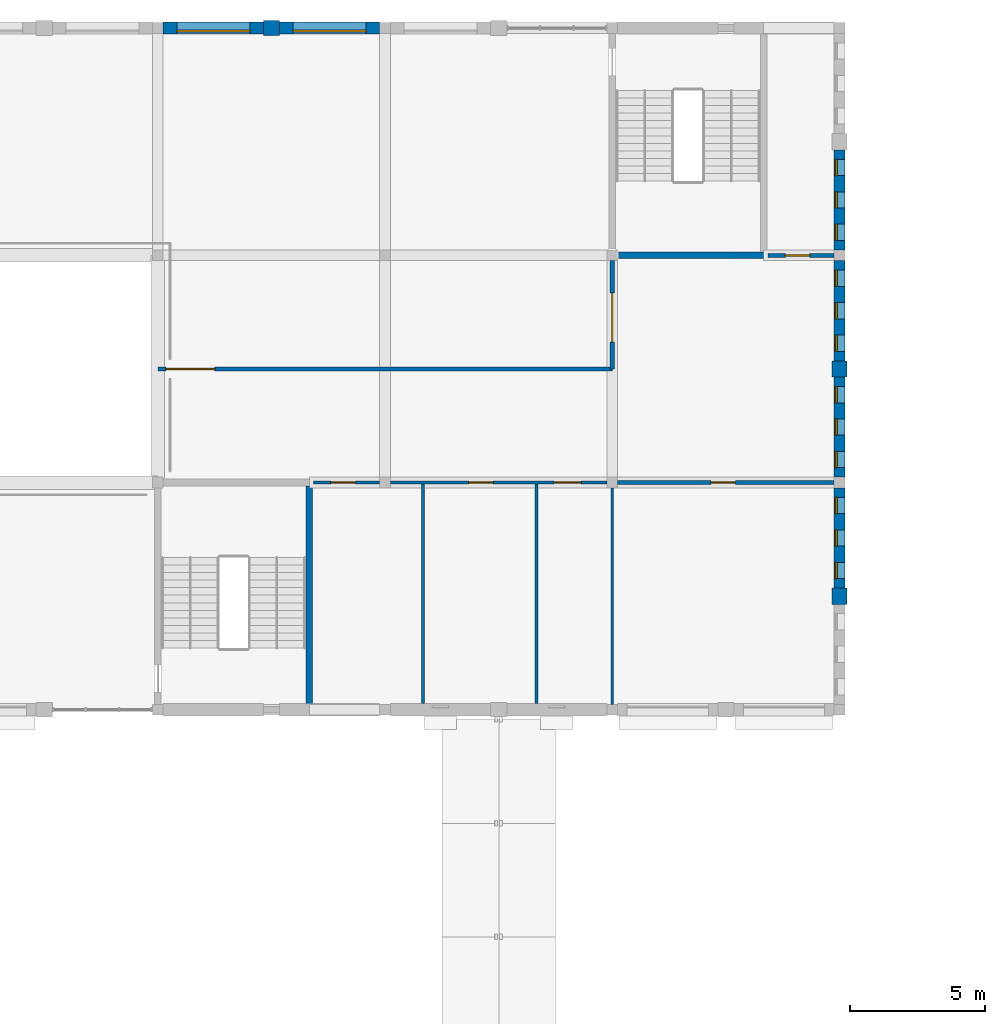
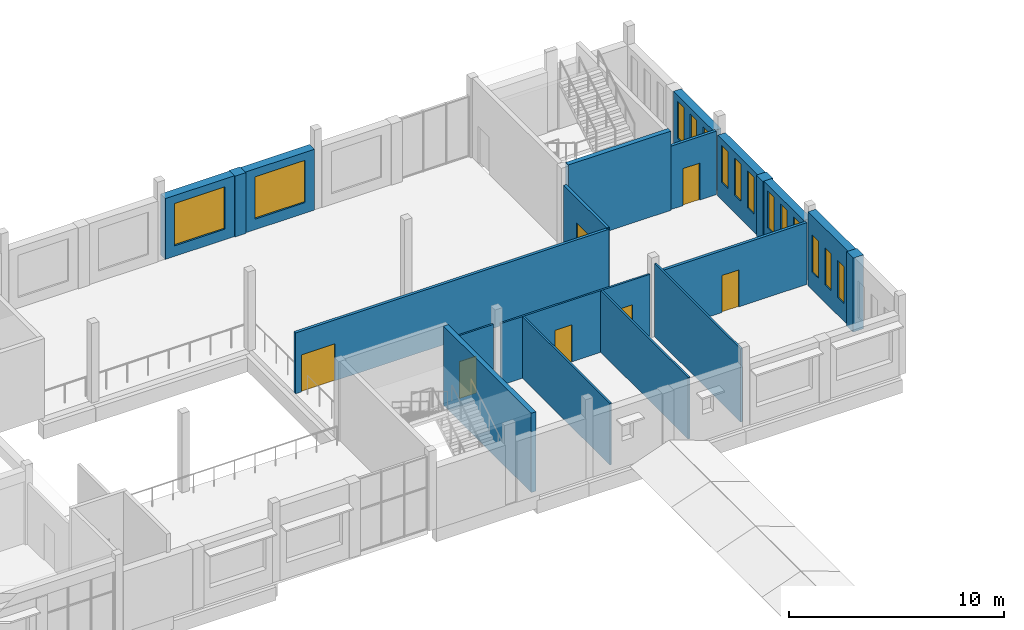
# One storey, part 30 of 38: 20 walls, 14 windows, 7 doors, 21 openings.
"""IFC4 building model written with IfcOpenShell, lengths in metres."""

from ifc_helpers import new_model, si_unit, direction, frame, frame_2d, origin, place, context, subcontext, project, spatial, rectangle, extrude, material, layer, layer_set, type_object, element, fill, save


model = new_model("IFC4")

# Units and contexts
model_context = context("Model", 3, precision=1e-05, world=origin(), true_north=direction((0.0, 1.0)))
body_context = subcontext(model_context, "Body", "Model", "MODEL_VIEW")
ifc_project = project(units=[si_unit("LENGTHUNIT", "METRE"), si_unit("AREAUNIT", "SQUARE_METRE"), si_unit("VOLUMEUNIT", "CUBIC_METRE"), si_unit("PLANEANGLEUNIT", "RADIAN"), si_unit("MASSUNIT", "GRAM", prefix="KILO")], contexts=[model_context])

# Site, building, storey
site_placement = place(None, origin())
site = spatial("IfcSite", under=ifc_project, at=site_placement, CompositionType="ELEMENT")
building_placement = place(site_placement, origin())
building = spatial("IfcBuilding", under=site, at=building_placement, Name="Fescue Hill Polytechnic", CompositionType="ELEMENT")
storey_placement = place(building_placement, frame((0.0, 0.0, 18.0)))
storey = spatial("IfcBuildingStorey", under=building, at=storey_placement, Name="L04", CompositionType="ELEMENT", Elevation=18.0)

# Walls
ifc_material_1 = material(Name="Clay brick masonry", Category="masonry")
ifc_layer_1 = layer(ifc_material_1, 0.550048828125)
ifc_layer_set_1 = layer_set([ifc_layer_1], Name="Clay brick masonry")
wall_type_1 = type_object("IfcWallType", Name="Brick pier 600x550", PredefinedType="SOLIDWALL", material=ifc_layer_set_1)
wall_1_placement = place(storey_placement, frame((117.60009765625, 113.10009765625, 0.0), z_axis=(0.0, 0.0, 1.0), x_axis=(0.0, 1.0, 0.0)))
element("IfcWall", 1, at=wall_1_placement, inside=storey, type_object=wall_type_1, Name="PR-L04-V4b-8", PredefinedType="SOLIDWALL", context=body_context, shape_type="SweptSolid", body=[
    extrude(rectangle(XDim=0.599853515625, YDim=0.550048828125, at=frame_2d((0.2998046875, 0.0))), origin(), (0.0, 0.0, 1.0), 4.199951171875),
])
wall_2_placement = place(storey_placement, frame((117.60009765625, 121.5, 0.0), z_axis=(0.0, 0.0, 1.0), x_axis=(0.0, 1.0, 0.0)))
element("IfcWall", 2, at=wall_2_placement, inside=storey, type_object=wall_type_1, Name="PR-L04-V4b-9", PredefinedType="SOLIDWALL", context=body_context, shape_type="SweptSolid", body=[
    extrude(rectangle(XDim=0.60009765625, YDim=0.550048828125, at=frame_2d((0.300048828125, 0.0))), origin(), (0.0, 0.0, 1.0), 3.449951171875),
])
wall_3_placement = place(storey_placement, frame((96.89990234375, 134.39990234375, 0.0), z_axis=(0.0, 0.0, 1.0), x_axis=(-1.0, 0.0, 0.0)))
element("IfcWall", 3, at=wall_3_placement, inside=storey, type_object=wall_type_1, Name="PR-L04-V4b-13", PredefinedType="SOLIDWALL", context=body_context, shape_type="SweptSolid", body=[
    extrude(rectangle(XDim=0.599853515625, YDim=0.550048828125, at=frame_2d((0.2998046875, 0.0))), origin(), (0.0, 0.0, 1.0), 3.449951171875),
])
ifc_material_2 = material(Name="Concrete 40 MPa", Category="concrete")
ifc_layer_2 = layer(ifc_material_2, 0.25)
ifc_layer_set_2 = layer_set([ifc_layer_2], Name="Concrete 40 MPa")
wall_type_2 = type_object("IfcWallType", Name="Core wall 250", PredefinedType="SHEAR", material=ifc_layer_set_2)
wall_4_placement = place(storey_placement, frame((109.425048828125, 126.0, 0.0), z_axis=(0.0, 0.0, 1.0), x_axis=(1.0, 0.0, 0.0)))
element("IfcWall", 4, at=wall_4_placement, inside=storey, type_object=wall_type_2, Name="CW-L04-ST-V4b-2-11", PredefinedType="SHEAR", context=body_context, shape_type="SweptSolid", body=[
    extrude(rectangle(XDim=5.5, YDim=0.25, at=frame_2d((2.75, 0.0))), origin(), (0.0, 0.0, 1.0), 4.5),
])
wall_5_placement = place(storey_placement, frame((98.0, 109.324951171875, 0.0), z_axis=(0.0, 0.0, 1.0), x_axis=(0.0, 1.0, 0.0)))
element("IfcWall", 5, at=wall_5_placement, inside=storey, type_object=wall_type_2, Name="CW-L04-ST-V4b-3-41", PredefinedType="SHEAR", context=body_context, shape_type="SweptSolid", body=[
    extrude(rectangle(XDim=8.150146484375, YDim=0.25, at=frame_2d((4.0751953125, 0.0))), origin(), (0.0, 0.0, 1.0), 4.5),
])

# Wall, opening, door
ifc_material_3 = material(Name="Gypsum board partition")
ifc_layer_3 = layer(ifc_material_3, 0.14990234375)
ifc_layer_set_3 = layer_set([ifc_layer_3], Name="Gypsum board partition")
wall_type_3 = type_object("IfcWallType", Name="Corridor wall 150 EI 45", PredefinedType="PARTITIONING", material=ifc_layer_set_3)
wall_6_placement = place(storey_placement, frame((109.39990234375, 117.60009765625, 0.0), z_axis=(0.0, 0.0, 1.0), x_axis=(1.0, 0.0, 0.0)))
wall_6 = element("IfcWall", 6, at=wall_6_placement, inside=storey, type_object=wall_type_3, Name="IW-L04-027", PredefinedType="PARTITIONING", context=body_context, shape_type="SweptSolid", body=[
    extrude(rectangle(XDim=8.0, YDim=0.14990234375, at=frame_2d((4.0, 0.0))), origin(), (0.0, 0.0, 1.0), 3.5),
])
opening_1_placement = place(wall_6_placement, frame((3.449951171875, 0.0, 0.0)))
opening_1 = element("IfcOpeningElement", 7, at=opening_1_placement, cuts=wall_6, Name="Opening D4031", PredefinedType="OPENING", context=body_context, shape_type="SweptSolid", body=[
    extrude(rectangle(XDim=0.89990234375, YDim=2.10009765625, at=frame_2d((0.449951171875, 1.050048828125))), frame((0.0, 0.0849609375, 0.0), z_axis=(0.0, -1.0, 0.0), x_axis=(1.0, 0.0, 0.0)), (0.0, 0.0, 1.0), 0.169921875),
])
ifc_material_4 = material(Name="Timber", Category="wood")
door_type_1 = type_object("IfcDoorType", Name="Door single swing 900x2100 FD30S", OperationType="SINGLE_SWING_LEFT", PredefinedType="DOOR", material=ifc_material_4)
door_1_placement = place(opening_1_placement, origin())
door_1 = element("IfcDoor", 8, at=door_1_placement, inside=storey, type_object=door_type_1, Name="Door D4031", OperationType="SINGLE_SWING_LEFT", OverallHeight=2.10009765625, OverallWidth=0.89990234375, PredefinedType="DOOR", context=body_context, shape_type="SweptSolid", body=[
    extrude(rectangle(XDim=0.89990234375, YDim=2.10009765625, at=frame_2d((0.449951171875, 1.050048828125))), frame((0.0, 0.02490234375, 0.0), z_axis=(0.0, -1.0, 0.0), x_axis=(1.0, 0.0, 0.0)), (0.0, 0.0, 1.0), 0.050048828125),
])
fill(opening_1, door_1)

wall_7_placement = place(storey_placement, frame((92.39990234375, 121.800048828125, 0.0), z_axis=(0.0, 0.0, 1.0), x_axis=(1.0, 0.0, 0.0)))
wall_7 = element("IfcWall", 9, at=wall_7_placement, inside=storey, type_object=wall_type_3, Name="IW-L04-034", PredefinedType="PARTITIONING", context=body_context, shape_type="SweptSolid", body=[
    extrude(rectangle(XDim=16.800048828125, YDim=0.14990234375, at=frame_2d((8.39990234375, 0.0))), origin(), (0.0, 0.0, 1.0), 3.449951171875),
])
opening_2_placement = place(wall_7_placement, frame((0.300048828125, 0.0, 0.0)))
opening_2 = element("IfcOpeningElement", 10, at=opening_2_placement, cuts=wall_7, Name="Opening D4035", PredefinedType="OPENING", context=body_context, shape_type="SweptSolid", body=[
    extrude(rectangle(XDim=1.800048828125, YDim=2.10009765625, at=frame_2d((0.89990234375, 1.050048828125))), frame((0.0, 0.0849609375, 0.0), z_axis=(0.0, -1.0, 0.0), x_axis=(1.0, 0.0, 0.0)), (0.0, 0.0, 1.0), 0.169921875),
])
door_type_2 = type_object("IfcDoorType", Name="Door double swing 1800x2100 FD30S", OperationType="DOUBLE_DOOR_SINGLE_SWING", PredefinedType="DOOR", material=ifc_material_4)
door_2_placement = place(opening_2_placement, origin())
door_2 = element("IfcDoor", 11, at=door_2_placement, inside=storey, type_object=door_type_2, Name="Door D4035", OperationType="DOUBLE_DOOR_SINGLE_SWING", OverallHeight=2.10009765625, OverallWidth=1.800048828125, PredefinedType="DOOR", context=body_context, shape_type="SweptSolid", body=[
    extrude(rectangle(XDim=1.800048828125, YDim=2.10009765625, at=frame_2d((0.89990234375, 1.050048828125))), frame((0.0, 0.02490234375, 0.0), z_axis=(0.0, -1.0, 0.0), x_axis=(1.0, 0.0, 0.0)), (0.0, 0.0, 1.0), 0.050048828125),
])
fill(opening_2, door_2)

# Wall, opening, window
ifc_layer_4 = layer(ifc_material_2, 0.449951171875)
ifc_layer_set_4 = layer_set([ifc_layer_4], Name="Concrete 40 MPa")
wall_type_4 = type_object("IfcWallType", Name="Exterior wall board-marked concrete 450", PredefinedType="SOLIDWALL", material=ifc_layer_set_4)
wall_8_placement = place(storey_placement, frame((100.60009765625, 134.39990234375, 0.0), z_axis=(0.0, 0.0, 1.0), x_axis=(-1.0, 0.0, 0.0)))
wall_8 = element("IfcWall", 12, at=wall_8_placement, inside=storey, type_object=wall_type_4, Name="EW-L04-V4b-25", PredefinedType="SOLIDWALL", context=body_context, shape_type="SweptSolid", body=[
    extrude(rectangle(XDim=3.7001953125, YDim=0.449951171875, at=frame_2d((1.85009765625, 0.0))), origin(), (0.0, 0.0, 1.0), 3.449951171875),
])
opening_3_placement = place(wall_8_placement, frame((0.5, 0.0, 0.60009765625)))
opening_3 = element("IfcOpeningElement", 13, at=opening_3_placement, cuts=wall_8, Name="Opening W16R", PredefinedType="OPENING", context=body_context, shape_type="SweptSolid", body=[
    extrude(rectangle(XDim=2.699951171875, YDim=2.39990234375, at=frame_2d((1.35009765625, 1.199951171875))), frame((0.0, 0.23486328125, 0.0), z_axis=(0.0, -1.0, 0.0), x_axis=(1.0, 0.0, 0.0)), (0.0, 0.0, 1.0), 0.469970703125),
])
ifc_material_5 = material(Name="Powder-coated aluminium and glass", Category="aluminium")
window_type_1 = type_object("IfcWindowType", Name="Window studio north-light 2700x2400", PartitioningType="TRIPLE_PANEL_VERTICAL", PredefinedType="WINDOW", material=ifc_material_5)
window_1_placement = place(opening_3_placement, origin())
window_1 = element("IfcWindow", 14, at=window_1_placement, inside=storey, type_object=window_type_1, Name="WN-L04-V4b-27", OverallHeight=2.39990234375, OverallWidth=2.699951171875, PartitioningType="SINGLE_PANEL", PredefinedType="WINDOW", context=body_context, shape_type="SweptSolid", body=[
    extrude(rectangle(XDim=2.699951171875, YDim=2.39990234375, at=frame_2d((1.35009765625, 1.199951171875))), frame((0.0, 0.135009765625, 0.0), z_axis=(0.0, -1.0, 0.0), x_axis=(1.0, 0.0, 0.0)), (0.0, 0.0, 1.0), 0.06005859375),
])
fill(opening_3, window_1)

wall_9_placement = place(storey_placement, frame((96.300048828125, 134.39990234375, 0.0), z_axis=(0.0, 0.0, 1.0), x_axis=(-1.0, 0.0, 0.0)))
wall_9 = element("IfcWall", 15, at=wall_9_placement, inside=storey, type_object=wall_type_4, Name="EW-L04-V4b-26", PredefinedType="SOLIDWALL", context=body_context, shape_type="SweptSolid", body=[
    extrude(rectangle(XDim=3.699951171875, YDim=0.449951171875, at=frame_2d((1.85009765625, 0.0))), origin(), (0.0, 0.0, 1.0), 3.449951171875),
])
opening_4_placement = place(wall_9_placement, frame((0.5, 0.0, 0.60009765625)))
opening_4 = element("IfcOpeningElement", 16, at=opening_4_placement, cuts=wall_9, Name="Opening W16R", PredefinedType="OPENING", context=body_context, shape_type="SweptSolid", body=[
    extrude(rectangle(XDim=2.699951171875, YDim=2.39990234375, at=frame_2d((1.35009765625, 1.199951171875))), frame((0.0, 0.23486328125, 0.0), z_axis=(0.0, -1.0, 0.0), x_axis=(1.0, 0.0, 0.0)), (0.0, 0.0, 1.0), 0.469970703125),
])
window_2_placement = place(opening_4_placement, origin())
window_2 = element("IfcWindow", 17, at=window_2_placement, inside=storey, type_object=window_type_1, Name="WN-L04-V4b-28", OverallHeight=2.39990234375, OverallWidth=2.699951171875, PartitioningType="SINGLE_PANEL", PredefinedType="WINDOW", context=body_context, shape_type="SweptSolid", body=[
    extrude(rectangle(XDim=2.699951171875, YDim=2.39990234375, at=frame_2d((1.35009765625, 1.199951171875))), frame((0.0, 0.135009765625, 0.0), z_axis=(0.0, -1.0, 0.0), x_axis=(1.0, 0.0, 0.0)), (0.0, 0.0, 1.0), 0.06005859375),
])
fill(opening_4, window_2)

# Wall, openings, windows
ifc_layer_5 = layer(ifc_material_1, 0.419921875)
ifc_layer_set_5 = layer_set([ifc_layer_5], Name="Clay brick masonry")
wall_type_5 = type_object("IfcWallType", Name="Exterior wall buff-red brick cavity 420", PredefinedType="SOLIDWALL", material=ifc_layer_set_5)
wall_10_placement = place(storey_placement, frame((117.60009765625, 113.699951171875, 0.0), z_axis=(0.0, 0.0, 1.0), x_axis=(0.0, 1.0, 0.0)))
wall_10 = element("IfcWall", 18, at=wall_10_placement, inside=storey, type_object=wall_type_5, Name="EW-L04-V4b-16", PredefinedType="SOLIDWALL", context=body_context, shape_type="SweptSolid", body=[
    extrude(rectangle(XDim=3.699951171875, YDim=0.419921875, at=frame_2d((1.85009765625, 0.0))), origin(), (0.0, 0.0, 1.0), 4.199951171875),
])
opening_5_placement = place(wall_10_placement, frame((0.35009765625, 0.0, 1.0)))
opening_5 = element("IfcOpeningElement", 19, at=opening_5_placement, cuts=wall_10, Name="Opening W6", PredefinedType="OPENING", context=body_context, shape_type="SweptSolid", body=[
    extrude(rectangle(XDim=0.60009765625, YDim=2.10009765625, at=frame_2d((0.300048828125, 1.050048828125))), frame((0.0, 0.219970703125, 0.0), z_axis=(0.0, -1.0, 0.0), x_axis=(1.0, 0.0, 0.0)), (0.0, 0.0, 1.0), 0.43994140625),
])
opening_6_placement = place(wall_10_placement, frame((1.550048828125, 0.0, 1.0)))
opening_6 = element("IfcOpeningElement", 20, at=opening_6_placement, cuts=wall_10, Name="Opening W6", PredefinedType="OPENING", context=body_context, shape_type="SweptSolid", body=[
    extrude(rectangle(XDim=0.60009765625, YDim=2.10009765625, at=frame_2d((0.300048828125, 1.050048828125))), frame((0.0, 0.219970703125, 0.0), z_axis=(0.0, -1.0, 0.0), x_axis=(1.0, 0.0, 0.0)), (0.0, 0.0, 1.0), 0.43994140625),
])
opening_7_placement = place(wall_10_placement, frame((2.75, 0.0, 1.0)))
opening_7 = element("IfcOpeningElement", 21, at=opening_7_placement, cuts=wall_10, Name="Opening W6", PredefinedType="OPENING", context=body_context, shape_type="SweptSolid", body=[
    extrude(rectangle(XDim=0.60009765625, YDim=2.10009765625, at=frame_2d((0.300048828125, 1.050048828125))), frame((0.0, 0.219970703125, 0.0), z_axis=(0.0, -1.0, 0.0), x_axis=(1.0, 0.0, 0.0)), (0.0, 0.0, 1.0), 0.43994140625),
])
window_type_2 = type_object("IfcWindowType", Name="Window slot 600x2100", PartitioningType="SINGLE_PANEL", PredefinedType="WINDOW", material=ifc_material_5)
window_3_placement = place(opening_5_placement, origin())
window_3 = element("IfcWindow", 22, at=window_3_placement, inside=storey, type_object=window_type_2, Name="WN-L04-V4b-11", OverallHeight=2.10009765625, OverallWidth=0.60009765625, PartitioningType="SINGLE_PANEL", PredefinedType="WINDOW", context=body_context, shape_type="SweptSolid", body=[
    extrude(rectangle(XDim=0.60009765625, YDim=2.10009765625, at=frame_2d((0.300048828125, 1.050048828125))), frame((0.0, 0.150146484375, 0.0), z_axis=(0.0, -1.0, 0.0), x_axis=(1.0, 0.0, 0.0)), (0.0, 0.0, 1.0), 0.06005859375),
])
fill(opening_5, window_3)
window_4_placement = place(opening_6_placement, origin())
window_4 = element("IfcWindow", 23, at=window_4_placement, inside=storey, type_object=window_type_2, Name="WN-L04-V4b-12", OverallHeight=2.10009765625, OverallWidth=0.60009765625, PartitioningType="SINGLE_PANEL", PredefinedType="WINDOW", context=body_context, shape_type="SweptSolid", body=[
    extrude(rectangle(XDim=0.60009765625, YDim=2.10009765625, at=frame_2d((0.300048828125, 1.050048828125))), frame((0.0, 0.150146484375, 0.0), z_axis=(0.0, -1.0, 0.0), x_axis=(1.0, 0.0, 0.0)), (0.0, 0.0, 1.0), 0.06005859375),
])
fill(opening_6, window_4)
window_5_placement = place(opening_7_placement, origin())
window_5 = element("IfcWindow", 24, at=window_5_placement, inside=storey, type_object=window_type_2, Name="WN-L04-V4b-13", OverallHeight=2.10009765625, OverallWidth=0.60009765625, PartitioningType="SINGLE_PANEL", PredefinedType="WINDOW", context=body_context, shape_type="SweptSolid", body=[
    extrude(rectangle(XDim=0.60009765625, YDim=2.10009765625, at=frame_2d((0.300048828125, 1.050048828125))), frame((0.0, 0.150146484375, 0.0), z_axis=(0.0, -1.0, 0.0), x_axis=(1.0, 0.0, 0.0)), (0.0, 0.0, 1.0), 0.06005859375),
])
fill(opening_7, window_5)

wall_11_placement = place(storey_placement, frame((117.60009765625, 117.800048828125, 0.0), z_axis=(0.0, 0.0, 1.0), x_axis=(0.0, 1.0, 0.0)))
wall_11 = element("IfcWall", 25, at=wall_11_placement, inside=storey, type_object=wall_type_5, Name="EW-L04-V4b-17", PredefinedType="SOLIDWALL", context=body_context, shape_type="SweptSolid", body=[
    extrude(rectangle(XDim=3.699951171875, YDim=0.419921875, at=frame_2d((1.85009765625, 0.0))), origin(), (0.0, 0.0, 1.0), 3.449951171875),
])
opening_8_placement = place(wall_11_placement, frame((0.35009765625, 0.0, 1.0)))
opening_8 = element("IfcOpeningElement", 26, at=opening_8_placement, cuts=wall_11, Name="Opening W6", PredefinedType="OPENING", context=body_context, shape_type="SweptSolid", body=[
    extrude(rectangle(XDim=0.60009765625, YDim=2.10009765625, at=frame_2d((0.300048828125, 1.050048828125))), frame((0.0, 0.219970703125, 0.0), z_axis=(0.0, -1.0, 0.0), x_axis=(1.0, 0.0, 0.0)), (0.0, 0.0, 1.0), 0.43994140625),
])
opening_9_placement = place(wall_11_placement, frame((1.550048828125, 0.0, 1.0)))
opening_9 = element("IfcOpeningElement", 27, at=opening_9_placement, cuts=wall_11, Name="Opening W6", PredefinedType="OPENING", context=body_context, shape_type="SweptSolid", body=[
    extrude(rectangle(XDim=0.60009765625, YDim=2.10009765625, at=frame_2d((0.300048828125, 1.050048828125))), frame((0.0, 0.219970703125, 0.0), z_axis=(0.0, -1.0, 0.0), x_axis=(1.0, 0.0, 0.0)), (0.0, 0.0, 1.0), 0.43994140625),
])
opening_10_placement = place(wall_11_placement, frame((2.75, 0.0, 1.0)))
opening_10 = element("IfcOpeningElement", 28, at=opening_10_placement, cuts=wall_11, Name="Opening W6", PredefinedType="OPENING", context=body_context, shape_type="SweptSolid", body=[
    extrude(rectangle(XDim=0.60009765625, YDim=2.10009765625, at=frame_2d((0.300048828125, 1.050048828125))), frame((0.0, 0.219970703125, 0.0), z_axis=(0.0, -1.0, 0.0), x_axis=(1.0, 0.0, 0.0)), (0.0, 0.0, 1.0), 0.43994140625),
])
window_6_placement = place(opening_8_placement, origin())
window_6 = element("IfcWindow", 29, at=window_6_placement, inside=storey, type_object=window_type_2, Name="WN-L04-V4b-14", OverallHeight=2.10009765625, OverallWidth=0.60009765625, PartitioningType="SINGLE_PANEL", PredefinedType="WINDOW", context=body_context, shape_type="SweptSolid", body=[
    extrude(rectangle(XDim=0.60009765625, YDim=2.10009765625, at=frame_2d((0.300048828125, 1.050048828125))), frame((0.0, 0.150146484375, 0.0), z_axis=(0.0, -1.0, 0.0), x_axis=(1.0, 0.0, 0.0)), (0.0, 0.0, 1.0), 0.06005859375),
])
fill(opening_8, window_6)
window_7_placement = place(opening_9_placement, origin())
window_7 = element("IfcWindow", 30, at=window_7_placement, inside=storey, type_object=window_type_2, Name="WN-L04-V4b-15", OverallHeight=2.10009765625, OverallWidth=0.60009765625, PartitioningType="SINGLE_PANEL", PredefinedType="WINDOW", context=body_context, shape_type="SweptSolid", body=[
    extrude(rectangle(XDim=0.60009765625, YDim=2.10009765625, at=frame_2d((0.300048828125, 1.050048828125))), frame((0.0, 0.150146484375, 0.0), z_axis=(0.0, -1.0, 0.0), x_axis=(1.0, 0.0, 0.0)), (0.0, 0.0, 1.0), 0.06005859375),
])
fill(opening_9, window_7)
window_8_placement = place(opening_10_placement, origin())
window_8 = element("IfcWindow", 31, at=window_8_placement, inside=storey, type_object=window_type_2, Name="WN-L04-V4b-16", OverallHeight=2.10009765625, OverallWidth=0.60009765625, PartitioningType="SINGLE_PANEL", PredefinedType="WINDOW", context=body_context, shape_type="SweptSolid", body=[
    extrude(rectangle(XDim=0.60009765625, YDim=2.10009765625, at=frame_2d((0.300048828125, 1.050048828125))), frame((0.0, 0.150146484375, 0.0), z_axis=(0.0, -1.0, 0.0), x_axis=(1.0, 0.0, 0.0)), (0.0, 0.0, 1.0), 0.06005859375),
])
fill(opening_10, window_8)

wall_12_placement = place(storey_placement, frame((117.60009765625, 122.10009765625, 0.0), z_axis=(0.0, 0.0, 1.0), x_axis=(0.0, 1.0, 0.0)))
wall_12 = element("IfcWall", 32, at=wall_12_placement, inside=storey, type_object=wall_type_5, Name="EW-L04-V4b-18", PredefinedType="SOLIDWALL", context=body_context, shape_type="SweptSolid", body=[
    extrude(rectangle(XDim=3.699951171875, YDim=0.419921875, at=frame_2d((1.85009765625, 0.0))), origin(), (0.0, 0.0, 1.0), 3.449951171875),
])
opening_11_placement = place(wall_12_placement, frame((0.35009765625, 0.0, 1.0)))
opening_11 = element("IfcOpeningElement", 33, at=opening_11_placement, cuts=wall_12, Name="Opening W6", PredefinedType="OPENING", context=body_context, shape_type="SweptSolid", body=[
    extrude(rectangle(XDim=0.60009765625, YDim=2.10009765625, at=frame_2d((0.300048828125, 1.050048828125))), frame((0.0, 0.219970703125, 0.0), z_axis=(0.0, -1.0, 0.0), x_axis=(1.0, 0.0, 0.0)), (0.0, 0.0, 1.0), 0.43994140625),
])
opening_12_placement = place(wall_12_placement, frame((1.550048828125, 0.0, 1.0)))
opening_12 = element("IfcOpeningElement", 34, at=opening_12_placement, cuts=wall_12, Name="Opening W6", PredefinedType="OPENING", context=body_context, shape_type="SweptSolid", body=[
    extrude(rectangle(XDim=0.60009765625, YDim=2.10009765625, at=frame_2d((0.300048828125, 1.050048828125))), frame((0.0, 0.219970703125, 0.0), z_axis=(0.0, -1.0, 0.0), x_axis=(1.0, 0.0, 0.0)), (0.0, 0.0, 1.0), 0.43994140625),
])
opening_13_placement = place(wall_12_placement, frame((2.75, 0.0, 1.0)))
opening_13 = element("IfcOpeningElement", 35, at=opening_13_placement, cuts=wall_12, Name="Opening W6", PredefinedType="OPENING", context=body_context, shape_type="SweptSolid", body=[
    extrude(rectangle(XDim=0.60009765625, YDim=2.10009765625, at=frame_2d((0.300048828125, 1.050048828125))), frame((0.0, 0.219970703125, 0.0), z_axis=(0.0, -1.0, 0.0), x_axis=(1.0, 0.0, 0.0)), (0.0, 0.0, 1.0), 0.43994140625),
])
window_9_placement = place(opening_11_placement, origin())
window_9 = element("IfcWindow", 36, at=window_9_placement, inside=storey, type_object=window_type_2, Name="WN-L04-V4b-17", OverallHeight=2.10009765625, OverallWidth=0.60009765625, PartitioningType="SINGLE_PANEL", PredefinedType="WINDOW", context=body_context, shape_type="SweptSolid", body=[
    extrude(rectangle(XDim=0.60009765625, YDim=2.10009765625, at=frame_2d((0.300048828125, 1.050048828125))), frame((0.0, 0.150146484375, 0.0), z_axis=(0.0, -1.0, 0.0), x_axis=(1.0, 0.0, 0.0)), (0.0, 0.0, 1.0), 0.06005859375),
])
fill(opening_11, window_9)
window_10_placement = place(opening_12_placement, origin())
window_10 = element("IfcWindow", 37, at=window_10_placement, inside=storey, type_object=window_type_2, Name="WN-L04-V4b-18", OverallHeight=2.10009765625, OverallWidth=0.60009765625, PartitioningType="SINGLE_PANEL", PredefinedType="WINDOW", context=body_context, shape_type="SweptSolid", body=[
    extrude(rectangle(XDim=0.60009765625, YDim=2.10009765625, at=frame_2d((0.300048828125, 1.050048828125))), frame((0.0, 0.150146484375, 0.0), z_axis=(0.0, -1.0, 0.0), x_axis=(1.0, 0.0, 0.0)), (0.0, 0.0, 1.0), 0.06005859375),
])
fill(opening_12, window_10)
window_11_placement = place(opening_13_placement, origin())
window_11 = element("IfcWindow", 38, at=window_11_placement, inside=storey, type_object=window_type_2, Name="WN-L04-V4b-19", OverallHeight=2.10009765625, OverallWidth=0.60009765625, PartitioningType="SINGLE_PANEL", PredefinedType="WINDOW", context=body_context, shape_type="SweptSolid", body=[
    extrude(rectangle(XDim=0.60009765625, YDim=2.10009765625, at=frame_2d((0.300048828125, 1.050048828125))), frame((0.0, 0.150146484375, 0.0), z_axis=(0.0, -1.0, 0.0), x_axis=(1.0, 0.0, 0.0)), (0.0, 0.0, 1.0), 0.06005859375),
])
fill(opening_13, window_11)

wall_13_placement = place(storey_placement, frame((117.60009765625, 126.199951171875, 0.0), z_axis=(0.0, 0.0, 1.0), x_axis=(0.0, 1.0, 0.0)))
wall_13 = element("IfcWall", 39, at=wall_13_placement, inside=storey, type_object=wall_type_5, Name="EW-L04-V4b-19", PredefinedType="SOLIDWALL", context=body_context, shape_type="SweptSolid", body=[
    extrude(rectangle(XDim=3.699951171875, YDim=0.419921875, at=frame_2d((1.85009765625, 0.0))), origin(), (0.0, 0.0, 1.0), 3.449951171875),
])
opening_14_placement = place(wall_13_placement, frame((0.35009765625, 0.0, 1.0)))
opening_14 = element("IfcOpeningElement", 40, at=opening_14_placement, cuts=wall_13, Name="Opening W6", PredefinedType="OPENING", context=body_context, shape_type="SweptSolid", body=[
    extrude(rectangle(XDim=0.60009765625, YDim=2.10009765625, at=frame_2d((0.300048828125, 1.050048828125))), frame((0.0, 0.219970703125, 0.0), z_axis=(0.0, -1.0, 0.0), x_axis=(1.0, 0.0, 0.0)), (0.0, 0.0, 1.0), 0.43994140625),
])
opening_15_placement = place(wall_13_placement, frame((1.550048828125, 0.0, 1.0)))
opening_15 = element("IfcOpeningElement", 41, at=opening_15_placement, cuts=wall_13, Name="Opening W6", PredefinedType="OPENING", context=body_context, shape_type="SweptSolid", body=[
    extrude(rectangle(XDim=0.60009765625, YDim=2.10009765625, at=frame_2d((0.300048828125, 1.050048828125))), frame((0.0, 0.219970703125, 0.0), z_axis=(0.0, -1.0, 0.0), x_axis=(1.0, 0.0, 0.0)), (0.0, 0.0, 1.0), 0.43994140625),
])
opening_16_placement = place(wall_13_placement, frame((2.75, 0.0, 1.0)))
opening_16 = element("IfcOpeningElement", 42, at=opening_16_placement, cuts=wall_13, Name="Opening W6", PredefinedType="OPENING", context=body_context, shape_type="SweptSolid", body=[
    extrude(rectangle(XDim=0.60009765625, YDim=2.10009765625, at=frame_2d((0.300048828125, 1.050048828125))), frame((0.0, 0.219970703125, 0.0), z_axis=(0.0, -1.0, 0.0), x_axis=(1.0, 0.0, 0.0)), (0.0, 0.0, 1.0), 0.43994140625),
])
window_12_placement = place(opening_14_placement, origin())
window_12 = element("IfcWindow", 43, at=window_12_placement, inside=storey, type_object=window_type_2, Name="WN-L04-V4b-20", OverallHeight=2.10009765625, OverallWidth=0.60009765625, PartitioningType="SINGLE_PANEL", PredefinedType="WINDOW", context=body_context, shape_type="SweptSolid", body=[
    extrude(rectangle(XDim=0.60009765625, YDim=2.10009765625, at=frame_2d((0.300048828125, 1.050048828125))), frame((0.0, 0.150146484375, 0.0), z_axis=(0.0, -1.0, 0.0), x_axis=(1.0, 0.0, 0.0)), (0.0, 0.0, 1.0), 0.06005859375),
])
fill(opening_14, window_12)
window_13_placement = place(opening_15_placement, origin())
window_13 = element("IfcWindow", 44, at=window_13_placement, inside=storey, type_object=window_type_2, Name="WN-L04-V4b-21", OverallHeight=2.10009765625, OverallWidth=0.60009765625, PartitioningType="SINGLE_PANEL", PredefinedType="WINDOW", context=body_context, shape_type="SweptSolid", body=[
    extrude(rectangle(XDim=0.60009765625, YDim=2.10009765625, at=frame_2d((0.300048828125, 1.050048828125))), frame((0.0, 0.150146484375, 0.0), z_axis=(0.0, -1.0, 0.0), x_axis=(1.0, 0.0, 0.0)), (0.0, 0.0, 1.0), 0.06005859375),
])
fill(opening_15, window_13)
window_14_placement = place(opening_16_placement, origin())
window_14 = element("IfcWindow", 45, at=window_14_placement, inside=storey, type_object=window_type_2, Name="WN-L04-V4b-22", OverallHeight=2.10009765625, OverallWidth=0.60009765625, PartitioningType="SINGLE_PANEL", PredefinedType="WINDOW", context=body_context, shape_type="SweptSolid", body=[
    extrude(rectangle(XDim=0.60009765625, YDim=2.10009765625, at=frame_2d((0.300048828125, 1.050048828125))), frame((0.0, 0.150146484375, 0.0), z_axis=(0.0, -1.0, 0.0), x_axis=(1.0, 0.0, 0.0)), (0.0, 0.0, 1.0), 0.06005859375),
])
fill(opening_16, window_14)

# Wall, opening, door
ifc_layer_6 = layer(ifc_material_3, 0.14990234375)
ifc_layer_set_6 = layer_set([ifc_layer_6], Name="Gypsum board partition")
wall_type_6 = type_object("IfcWallType", Name="Lobby wall 150 EI 60", PredefinedType="PARTITIONING", material=ifc_layer_set_6)
wall_14_placement = place(storey_placement, frame((114.949951171875, 126.0, 0.0), z_axis=(0.0, 0.0, 1.0), x_axis=(1.0, 0.0, 0.0)))
wall_14 = element("IfcWall", 46, at=wall_14_placement, inside=storey, type_object=wall_type_6, Name="IW-L04-035", PredefinedType="PARTITIONING", context=body_context, shape_type="SweptSolid", body=[
    extrude(rectangle(XDim=2.449951171875, YDim=0.14990234375, at=frame_2d((1.22509765625, 0.0))), origin(), (0.0, 0.0, 1.0), 3.60009765625),
])
opening_17_placement = place(wall_14_placement, frame((0.64990234375, 0.0, 0.0)))
opening_17 = element("IfcOpeningElement", 47, at=opening_17_placement, cuts=wall_14, Name="Opening D4025", PredefinedType="OPENING", context=body_context, shape_type="SweptSolid", body=[
    extrude(rectangle(XDim=0.89990234375, YDim=2.10009765625, at=frame_2d((0.449951171875, 1.050048828125))), frame((0.0, 0.0849609375, 0.0), z_axis=(0.0, -1.0, 0.0), x_axis=(1.0, 0.0, 0.0)), (0.0, 0.0, 1.0), 0.169921875),
])
ifc_material_6 = material(Name="Steel", Category="steel")
door_type_3 = type_object("IfcDoorType", Name="Door single swing 900x2100 FD60", OperationType="SINGLE_SWING_LEFT", PredefinedType="DOOR", material=ifc_material_6)
door_3_placement = place(opening_17_placement, origin())
door_3 = element("IfcDoor", 48, at=door_3_placement, inside=storey, type_object=door_type_3, Name="Door D4025", OperationType="SINGLE_SWING_LEFT", OverallHeight=2.10009765625, OverallWidth=0.89990234375, PredefinedType="DOOR", context=body_context, shape_type="SweptSolid", body=[
    extrude(rectangle(XDim=0.89990234375, YDim=2.10009765625, at=frame_2d((0.449951171875, 1.050048828125))), frame((0.0, 0.02490234375, 0.0), z_axis=(0.0, -1.0, 0.0), x_axis=(1.0, 0.0, 0.0)), (0.0, 0.0, 1.0), 0.050048828125),
])
fill(opening_17, door_3)

wall_15_placement = place(storey_placement, frame((109.199951171875, 121.800048828125, 0.0), z_axis=(0.0, 0.0, 1.0), x_axis=(0.0, 1.0, 0.0)))
wall_15 = element("IfcWall", 49, at=wall_15_placement, inside=storey, type_object=wall_type_6, Name="IW-L04-062", PredefinedType="PARTITIONING", context=body_context, shape_type="SweptSolid", body=[
    extrude(rectangle(XDim=4.0, YDim=0.14990234375, at=frame_2d((2.0, 0.0))), origin(), (0.0, 0.0, 1.0), 3.5),
])
opening_18_placement = place(wall_15_placement, frame((1.0, 0.0, 0.0)))
opening_18 = element("IfcOpeningElement", 50, at=opening_18_placement, cuts=wall_15, Name="Opening D4034", PredefinedType="OPENING", context=body_context, shape_type="SweptSolid", body=[
    extrude(rectangle(XDim=1.800048828125, YDim=2.10009765625, at=frame_2d((0.89990234375, 1.050048828125))), frame((0.0, 0.0849609375, 0.0), z_axis=(0.0, -1.0, 0.0), x_axis=(1.0, 0.0, 0.0)), (0.0, 0.0, 1.0), 0.169921875),
])
door_type_4 = type_object("IfcDoorType", Name="Door double swing 1800x2100 FD60", OperationType="DOUBLE_DOOR_SINGLE_SWING", PredefinedType="DOOR", material=ifc_material_6)
door_4_placement = place(opening_18_placement, origin())
door_4 = element("IfcDoor", 51, at=door_4_placement, inside=storey, type_object=door_type_4, Name="Door D4034", OperationType="DOUBLE_DOOR_SINGLE_SWING", OverallHeight=2.10009765625, OverallWidth=1.800048828125, PredefinedType="DOOR", context=body_context, shape_type="SweptSolid", body=[
    extrude(rectangle(XDim=1.800048828125, YDim=2.10009765625, at=frame_2d((0.89990234375, 1.050048828125))), frame((0.0, 0.02490234375, 0.0), z_axis=(0.0, -1.0, 0.0), x_axis=(1.0, 0.0, 0.0)), (0.0, 0.0, 1.0), 0.050048828125),
])
fill(opening_18, door_4)

ifc_layer_7 = layer(ifc_material_3, 0.10009765625)
ifc_layer_set_7 = layer_set([ifc_layer_7], Name="Gypsum board partition")
wall_type_7 = type_object("IfcWallType", Name="WC partition 100 moisture resistant", PredefinedType="PARTITIONING", material=ifc_layer_set_7)
wall_16_placement = place(storey_placement, frame((98.14990234375, 117.60009765625, 0.0), z_axis=(0.0, 0.0, 1.0), x_axis=(1.0, 0.0, 0.0)))
wall_16 = element("IfcWall", 52, at=wall_16_placement, inside=storey, type_object=wall_type_7, Name="IW-L04-029", PredefinedType="PARTITIONING", context=body_context, shape_type="SweptSolid", body=[
    extrude(rectangle(XDim=2.4501953125, YDim=0.10009765625, at=frame_2d((1.22509765625, 0.0))), origin(), (0.0, 0.0, 1.0), 3.60009765625),
])
opening_19_placement = place(wall_16_placement, frame((0.64990234375, 0.0, 0.0)))
opening_19 = element("IfcOpeningElement", 53, at=opening_19_placement, cuts=wall_16, Name="Opening D4028", PredefinedType="OPENING", context=body_context, shape_type="SweptSolid", body=[
    extrude(rectangle(XDim=0.89990234375, YDim=2.10009765625, at=frame_2d((0.449951171875, 1.050048828125))), frame((0.0, 0.06005859375, 0.0), z_axis=(0.0, -1.0, 0.0), x_axis=(1.0, 0.0, 0.0)), (0.0, 0.0, 1.0), 0.1201171875),
])
door_type_5 = type_object("IfcDoorType", Name="Door single swing 900x2100 WC", OperationType="SINGLE_SWING_LEFT", PredefinedType="DOOR", material=ifc_material_4)
door_5_placement = place(opening_19_placement, origin())
door_5 = element("IfcDoor", 54, at=door_5_placement, inside=storey, type_object=door_type_5, Name="Door D4028", OperationType="SINGLE_SWING_LEFT", OverallHeight=2.10009765625, OverallWidth=0.89990234375, PredefinedType="DOOR", context=body_context, shape_type="SweptSolid", body=[
    extrude(rectangle(XDim=0.89990234375, YDim=2.10009765625, at=frame_2d((0.449951171875, 1.050048828125))), frame((0.0, 0.02490234375, 0.0), z_axis=(0.0, -1.0, 0.0), x_axis=(1.0, 0.0, 0.0)), (0.0, 0.0, 1.0), 0.050048828125),
])
fill(opening_19, door_5)

# Wall, openings, doors
wall_17_placement = place(storey_placement, frame((101.0, 117.60009765625, 0.0), z_axis=(0.0, 0.0, 1.0), x_axis=(1.0, 0.0, 0.0)))
wall_17 = element("IfcWall", 55, at=wall_17_placement, inside=storey, type_object=wall_type_7, Name="IW-L04-030", PredefinedType="PARTITIONING", context=body_context, shape_type="SweptSolid", body=[
    extrude(rectangle(XDim=8.0, YDim=0.10009765625, at=frame_2d((4.0, 0.0))), origin(), (0.0, 0.0, 1.0), 3.5),
])
opening_20_placement = place(wall_17_placement, frame((2.89990234375, 0.0, 0.0)))
opening_20 = element("IfcOpeningElement", 56, at=opening_20_placement, cuts=wall_17, Name="Opening D4029", PredefinedType="OPENING", context=body_context, shape_type="SweptSolid", body=[
    extrude(rectangle(XDim=0.89990234375, YDim=2.10009765625, at=frame_2d((0.449951171875, 1.050048828125))), frame((0.0, 0.06005859375, 0.0), z_axis=(0.0, -1.0, 0.0), x_axis=(1.0, 0.0, 0.0)), (0.0, 0.0, 1.0), 0.1201171875),
])
opening_21_placement = place(wall_17_placement, frame((6.050048828125, 0.0, 0.0)))
opening_21 = element("IfcOpeningElement", 57, at=opening_21_placement, cuts=wall_17, Name="Opening D4030", PredefinedType="OPENING", context=body_context, shape_type="SweptSolid", body=[
    extrude(rectangle(XDim=1.0, YDim=2.10009765625, at=frame_2d((0.5, 1.050048828125))), frame((0.0, 0.06005859375, 0.0), z_axis=(0.0, -1.0, 0.0), x_axis=(1.0, 0.0, 0.0)), (0.0, 0.0, 1.0), 0.1201171875),
])
door_type_6 = type_object("IfcDoorType", Name="Door single swing 1000x2100 accessible WC", OperationType="SINGLE_SWING_LEFT", PredefinedType="DOOR", material=ifc_material_4)
door_6_placement = place(opening_21_placement, origin())
door_6 = element("IfcDoor", 58, at=door_6_placement, inside=storey, type_object=door_type_6, Name="Door D4030", OperationType="SINGLE_SWING_RIGHT", OverallHeight=2.10009765625, OverallWidth=1.0, PredefinedType="DOOR", context=body_context, shape_type="SweptSolid", body=[
    extrude(rectangle(XDim=1.0, YDim=2.10009765625, at=frame_2d((0.5, 1.050048828125))), frame((0.0, 0.02490234375, 0.0), z_axis=(0.0, -1.0, 0.0), x_axis=(1.0, 0.0, 0.0)), (0.0, 0.0, 1.0), 0.050048828125),
])
fill(opening_21, door_6)
door_7_placement = place(opening_20_placement, origin())
door_7 = element("IfcDoor", 59, at=door_7_placement, inside=storey, type_object=door_type_5, Name="Door D4029", OperationType="SINGLE_SWING_LEFT", OverallHeight=2.10009765625, OverallWidth=0.89990234375, PredefinedType="DOOR", context=body_context, shape_type="SweptSolid", body=[
    extrude(rectangle(XDim=0.89990234375, YDim=2.10009765625, at=frame_2d((0.449951171875, 1.050048828125))), frame((0.0, 0.02490234375, 0.0), z_axis=(0.0, -1.0, 0.0), x_axis=(1.0, 0.0, 0.0)), (0.0, 0.0, 1.0), 0.050048828125),
])
fill(opening_20, door_7)

# Walls
for number, where, z_axis, x_axis, name in (
    (60, (102.199951171875, 109.425048828125, 0.0), (0.0, 0.0, 1.0), (0.0, 1.0, 0.0), "IW-L04-060"),
    (61, (106.39990234375, 109.425048828125, 0.0), (0.0, 0.0, 1.0), (0.0, 1.0, 0.0), "IW-L04-061"),
):
    element("IfcWall", number, at=place(storey_placement, frame(where, z_axis=z_axis, x_axis=x_axis)), inside=storey, type_object=wall_type_7, Name=name, PredefinedType="PARTITIONING", context=body_context, shape_type="SweptSolid", body=[
        extrude(rectangle(XDim=8.175048828125, YDim=0.10009765625, at=frame_2d((4.08740234375, 0.0))), origin(), (0.0, 0.0, 1.0), 3.5),
    ])
wall_18_placement = place(storey_placement, frame((109.199951171875, 109.39990234375, 0.0), z_axis=(0.0, 0.0, 1.0), x_axis=(0.0, 1.0, 0.0)))
element("IfcWall", 62, at=wall_18_placement, inside=storey, type_object=wall_type_7, Name="IW-L04-063", PredefinedType="PARTITIONING", context=body_context, shape_type="SweptSolid", body=[
    extrude(rectangle(XDim=8.0, YDim=0.10009765625, at=frame_2d((4.0, 0.0))), origin(), (0.0, 0.0, 1.0), 4.14990234375),
])

save(model, "model.ifc")
